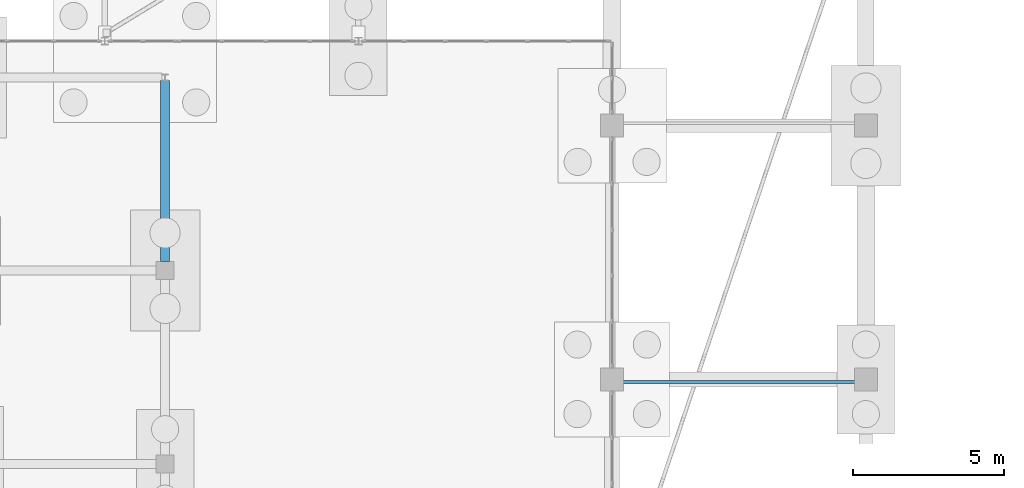
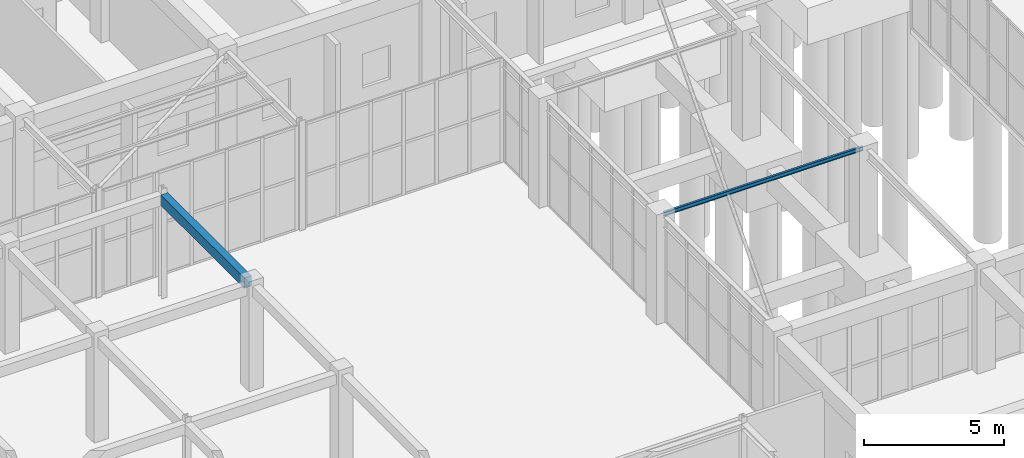
# One storey, part 97 of 192: 2 beams.
"""IFC4 building model written with IfcOpenShell, lengths in metres."""

import ifcopenshell
import ifcopenshell.guid

model = None  # the IFC model being written
_history = None  # IfcOwnerHistory: only IFC2X3 demands one
_inside = {}  # id of a spatial element -> (the spatial element, [elements in it])
_under = {}  # id of a project, library or spatial element -> (it, [spatial elements below it])
_declared = {}  # id of a project -> (the project, [libraries it declares])
_typed = {}  # id of a type object -> (the type object, [elements of that type])
_made_of = {}  # id of a material, layer set ... -> (it, [elements and type objects made of it])


def new_model(schema):
    """Start an empty IFC model of exactly this schema.

    Asked for "IFC4X3", IfcOpenShell would pick the latest addendum, in which some entities
    have other attributes; the version numbers below select the first issue.
    IFC2X3 requires an IfcOwnerHistory on every rooted entity: one is made here for all.
    """
    global model, _history
    if schema == "IFC4X3":
        model = ifcopenshell.file(schema_version=(4, 3, 0, 0))
    else:
        model = ifcopenshell.file(schema=schema)
    _inside.clear()
    _under.clear()
    _declared.clear()
    _typed.clear()
    _made_of.clear()
    _history = None
    if model.schema == "IFC2X3":
        org = make("IfcOrganization", Name="unknown")
        user = make(
            "IfcPersonAndOrganization",
            ThePerson=make("IfcPerson", FamilyName="unknown"),
            TheOrganization=org,
        )
        app = make(
            "IfcApplication",
            ApplicationDeveloper=org,
            Version="unknown",
            ApplicationFullName="unknown",
            ApplicationIdentifier="unknown",
        )
        _history = make(
            "IfcOwnerHistory",
            OwningUser=user,
            OwningApplication=app,
            ChangeAction="ADDED",
            CreationDate=0,
        )
    return model


def make(cls, **values):
    """One entity of the class cls with the attributes given. An attribute that is None is left unset."""
    return model.create_entity(
        cls, **{name: value for name, value in values.items() if value is not None}
    )


def rooted(cls, **values):
    """An entity with a GlobalId (a new one), such as an element, a storey or a relation."""
    return make(cls, GlobalId=ifcopenshell.guid.new(), OwnerHistory=_history, **values)


def si_unit(unit_type, name, prefix=None):
    """IfcSIUnit, for example si_unit("LENGTHUNIT", "METRE", prefix="MILLI")."""
    return make("IfcSIUnit", UnitType=unit_type, Prefix=prefix, Name=name)


def assignment(units):
    """IfcUnitAssignment: the units of a project."""
    return None if units is None else make("IfcUnitAssignment", Units=units)


def point(xyz):
    """IfcCartesianPoint."""
    return None if xyz is None else make("IfcCartesianPoint", Coordinates=xyz)


def direction(xyz):
    """IfcDirection."""
    return None if xyz is None else make("IfcDirection", DirectionRatios=xyz)


def frame(location, z_axis=None, x_axis=None):
    """IfcAxis2Placement3D, a coordinate frame: its origin and axes. An axis left out is left unset."""
    return make(
        "IfcAxis2Placement3D",
        Location=point(location),
        Axis=direction(z_axis),
        RefDirection=direction(x_axis),
    )


def frame_2d(location, x_axis=None):
    """IfcAxis2Placement2D, a coordinate frame in the plane: its origin and x axis."""
    return make(
        "IfcAxis2Placement2D", Location=point(location), RefDirection=direction(x_axis)
    )


def origin():
    """The frame at (0, 0, 0) with its axes left unset."""
    return frame((0.0, 0.0, 0.0))


def origin_2d():
    """The frame at (0, 0) in the plane with its x axis left unset."""
    return frame_2d((0.0, 0.0))


def place(relative_to, where):
    """IfcLocalPlacement: puts the frame where relative to a parent placement (None: the world)."""
    return make(
        "IfcLocalPlacement", PlacementRelTo=relative_to, RelativePlacement=where
    )


def context(
    kind, dimensions, precision=None, world=None, true_north=None, identifier=None
):
    """IfcGeometricRepresentationContext, for example the 3D "Model" context."""
    return make(
        "IfcGeometricRepresentationContext",
        ContextIdentifier=identifier,
        ContextType=kind,
        CoordinateSpaceDimension=dimensions,
        Precision=precision,
        WorldCoordinateSystem=world,
        TrueNorth=true_north,
    )


def subcontext(parent, identifier, kind, view, scale=None):
    """IfcGeometricRepresentationSubContext, for example "Body" below "Model"."""
    return make(
        "IfcGeometricRepresentationSubContext",
        ContextIdentifier=identifier,
        ContextType=kind,
        ParentContext=parent,
        TargetScale=scale,
        TargetView=view,
    )


def project(units=None, contexts=None):
    """IfcProject with its units and contexts."""
    return rooted(
        "IfcProject",
        Name="project",
        RepresentationContexts=contexts,
        UnitsInContext=assignment(units),
    )


def spatial(cls, under=None, at=None, **own):
    """A site, building, storey or space (cls), placed at a placement, below another one or the project."""
    s = rooted(cls, ObjectPlacement=at, **own)
    if under is not None:
        _under.setdefault(under.id(), (under, []))[1].append(s)
    return s


def profile(cls, at=None, kind="AREA", **sizes):
    """A parametric profile (cls). Its sizes go by their IFC names, for example OverallWidth=200.0."""
    return make(cls, ProfileType=kind, Position=at, **sizes)


def rectangle(**sizes):
    """IfcRectangleProfileDef."""
    return profile("IfcRectangleProfileDef", **sizes)


def i_section(**sizes):
    """IfcIShapeProfileDef."""
    return profile("IfcIShapeProfileDef", **sizes)


def extrude(swept, where, along, depth):
    """IfcExtrudedAreaSolid: the profile swept, set in the frame where, extruded along a direction by depth."""
    return make(
        "IfcExtrudedAreaSolid",
        SweptArea=swept,
        Position=where,
        ExtrudedDirection=direction(along),
        Depth=depth,
    )


def shape(context_of_items, identifier, shape_type, items):
    """IfcShapeRepresentation: the items that make up one representation, for example the "Body"."""
    return make(
        "IfcShapeRepresentation",
        ContextOfItems=context_of_items,
        RepresentationIdentifier=identifier,
        RepresentationType=shape_type,
        Items=items,
    )


def material(Name=None, Category=None):
    """IfcMaterial."""
    return make("IfcMaterial", Name=Name, Category=Category)


def material_profile(
    of_material, cross_section, Name=None, Category=None, Priority=None
):
    """IfcMaterialProfile: a cross section and its material."""
    return make(
        "IfcMaterialProfile",
        Name=Name,
        Material=of_material,
        Profile=cross_section,
        Priority=Priority,
        Category=Category,
    )


def profile_set(profiles, Name=None, composite=None):
    """IfcMaterialProfileSet."""
    return make(
        "IfcMaterialProfileSet",
        Name=Name,
        MaterialProfiles=profiles,
        CompositeProfile=composite,
    )


def made_of(thing, what):
    """Note that an element or type object is made of a material, layer set ...; save() writes the relation."""
    if what is not None:
        _made_of.setdefault(what.id(), (what, []))[1].append(thing)
    return thing


def type_object(cls, material=None, **own):
    """A type object (cls), such as IfcWallType, which elements share."""
    return made_of(rooted(cls, **own), material)


def element(
    cls,
    number,
    at=None,
    inside=None,
    cuts=None,
    type_object=None,
    material=None,
    context=None,
    identifier="Body",
    shape_type=None,
    held_by="IfcProductDefinitionShape",
    body=None,
    shapes=None,
    **own,
):
    """One element of the class cls, such as IfcWall. Its Tag is "e" and its number.

    at: its placement. inside: the storey or other place that contains it. cuts: it is an
    opening in that element (IfcRelVoidsElement). A single representation is given by context,
    identifier, shape_type and body (its items); several are given by shapes. held_by: the class
    of the entity that holds the representations. save() writes the other relations.
    """
    e = rooted(cls, Tag="e%d" % number, ObjectPlacement=at, **own)
    if body is not None:
        shapes = [shape(context, identifier, shape_type, body)]
    if shapes is not None:
        e.Representation = make(held_by, Representations=shapes)
    if inside is not None:
        _inside.setdefault(inside.id(), (inside, []))[1].append(e)
    if cuts is not None:
        rooted(
            "IfcRelVoidsElement", RelatingBuildingElement=cuts, RelatedOpeningElement=e
        )
    if type_object is not None:
        _typed.setdefault(type_object.id(), (type_object, []))[1].append(e)
    return made_of(e, material)


def aggregate(whole, parts):
    """IfcRelAggregates: a whole, such as a stair, and the parts it consists of."""
    return rooted("IfcRelAggregates", RelatingObject=whole, RelatedObjects=parts)


def save(model, path):
    """Write the relations noted so far, then the file.

    IfcRelAggregates (storeys below a building ...), IfcRelContainedInSpatialStructure (elements
    in a storey), IfcRelDefinesByType, IfcRelAssociatesMaterial and IfcRelDeclares: one each for
    every whole, place, type object, material and project.
    """
    for whole, parts in _under.values():
        aggregate(whole, parts)
    for where, things in _inside.values():
        rooted(
            "IfcRelContainedInSpatialStructure",
            RelatedElements=things,
            RelatingStructure=where,
        )
    for kind, things in _typed.values():
        rooted("IfcRelDefinesByType", RelatedObjects=things, RelatingType=kind)
    for what, things in _made_of.values():
        rooted("IfcRelAssociatesMaterial", RelatedObjects=things, RelatingMaterial=what)
    for by, libraries in _declared.values():
        rooted("IfcRelDeclares", RelatingContext=by, RelatedDefinitions=libraries)
    model.write(path)


model = new_model("IFC4")

# Units and contexts
model_context = context("Model", 3, precision=1e-05, world=origin(), true_north=direction((0.0, 1.0)))
body_context = subcontext(model_context, "Body", "Model", "MODEL_VIEW")
ifc_project = project(units=[si_unit("LENGTHUNIT", "METRE"), si_unit("AREAUNIT", "SQUARE_METRE"), si_unit("VOLUMEUNIT", "CUBIC_METRE"), si_unit("PLANEANGLEUNIT", "RADIAN"), si_unit("MASSUNIT", "GRAM", prefix="KILO")], contexts=[model_context])

# Site, building, storey
site_placement = place(None, origin())
site = spatial("IfcSite", under=ifc_project, at=site_placement, CompositionType="ELEMENT")
building_placement = place(site_placement, origin())
building = spatial("IfcBuilding", under=site, at=building_placement, Name="Trelvath General Hospital", CompositionType="ELEMENT")
storey_placement = place(building_placement, origin())
storey = spatial("IfcBuildingStorey", under=building, at=storey_placement, Name="L00", CompositionType="ELEMENT", Elevation=0.0)

# Beams
ifc_material_1 = material(Name="Concrete C35/45", Category="concrete")
ifc_material_profile_1 = material_profile(ifc_material_1, rectangle(XDim=0.300048828125, YDim=0.449951171875, at=origin_2d()), Name="RCB300x450")
ifc_profile_set_1 = profile_set([ifc_material_profile_1], Name="Concrete C35/45")
beam_type_1 = type_object("IfcBeamType", Name="Beam RC300x450", PredefinedType="BEAM", material=ifc_profile_set_1)
beam_1_placement = place(storey_placement, frame((60.800048828125, 79.49609375, 4.3349609375), z_axis=(0.0, 1.0, 0.0), x_axis=(-1.0, 0.0, 0.0)))
element("IfcBeam", 1, at=beam_1_placement, inside=storey, type_object=beam_type_1, Name="Cube Interior Ring Beam CUBE-W-T0 L00", PredefinedType="BEAM", context=body_context, shape_type="SweptSolid", body=[
    extrude(rectangle(XDim=0.300048828125, YDim=0.449951171875, at=origin_2d()), origin(), (0.0, 0.0, 1.0), 5.997802734375),
])
ifc_material_2 = material(Name="Steel S355", Category="steel")
ifc_material_profile_2 = material_profile(ifc_material_2, i_section(OverallWidth=0.091064453125, OverallDepth=0.179931640625, WebThickness=0.00537109375, FlangeThickness=0.008056640625, at=origin_2d()), Name="IPE180")
ifc_profile_set_2 = profile_set([ifc_material_profile_2], Name="Steel S355")
beam_type_2 = type_object("IfcBeamType", Name="BridgeJoist IPE180", PredefinedType="JOIST", material=ifc_profile_set_2)
beam_2_placement = place(storey_placement, frame((75.679931640625, 75.51611328125, 4.52001953125), z_axis=(1.0, 0.0, 0.0), x_axis=(0.0, 1.0, 0.0)))
element("IfcBeam", 2, at=beam_2_placement, inside=storey, type_object=beam_type_2, Name="Bridge Cross Joist BRG-N-C L01", PredefinedType="JOIST", context=body_context, shape_type="SweptSolid", body=[
    extrude(i_section(OverallWidth=0.091064453125, OverallDepth=0.179931640625, WebThickness=0.00537109375, FlangeThickness=0.008056640625, at=origin_2d()), origin(), (0.0, 0.0, 1.0), 8.239990234375),
])

save(model, "model.ifc")
